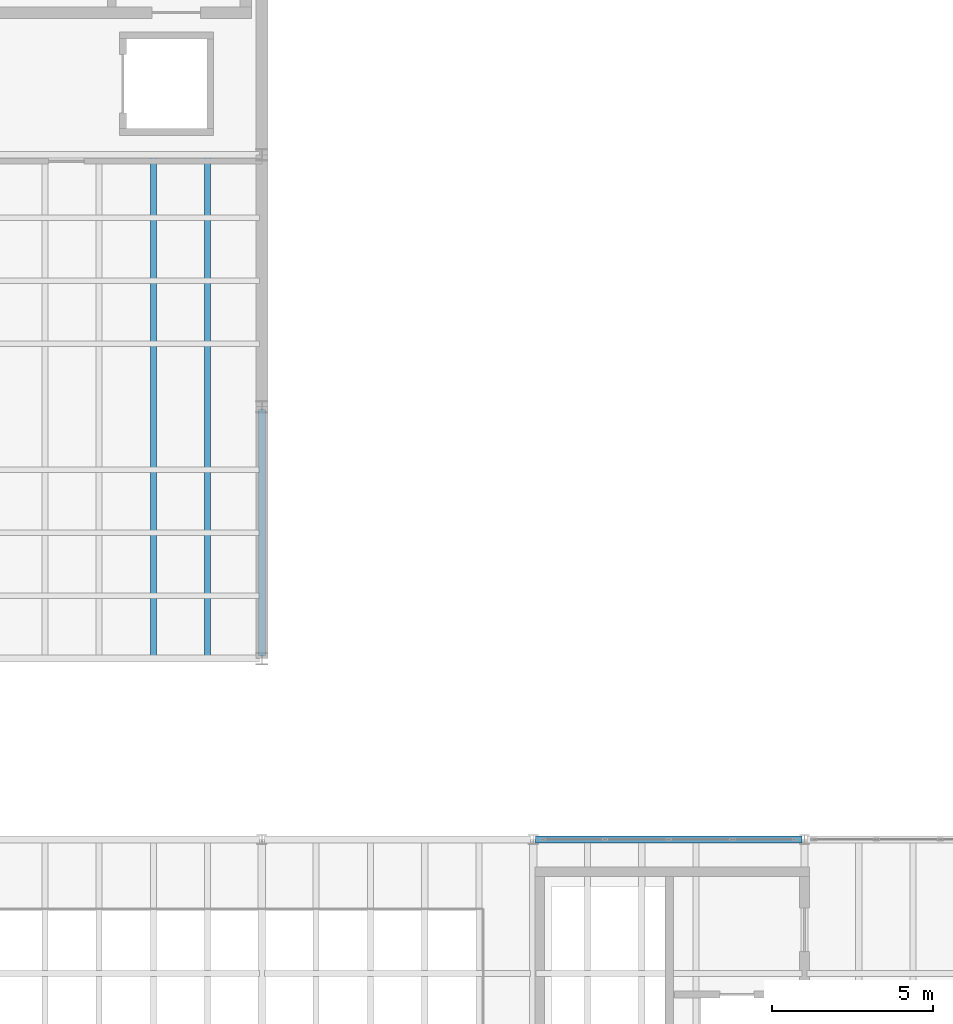
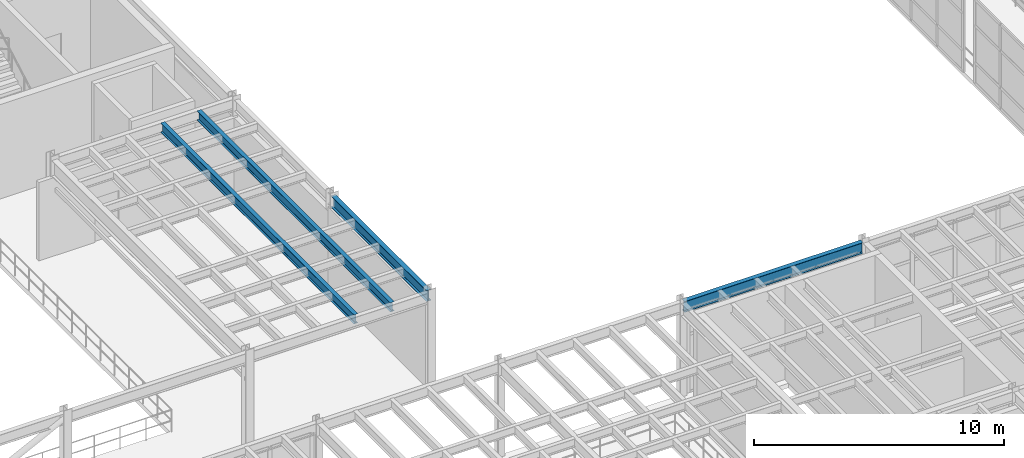
# One storey, part 42 of 105: 4 beams.
"""IFC4 building model written with IfcOpenShell, lengths in metres."""

import ifcopenshell
import ifcopenshell.guid

model = None  # the IFC model being written
_history = None  # IfcOwnerHistory: only IFC2X3 demands one
_inside = {}  # id of a spatial element -> (the spatial element, [elements in it])
_under = {}  # id of a project, library or spatial element -> (it, [spatial elements below it])
_declared = {}  # id of a project -> (the project, [libraries it declares])
_typed = {}  # id of a type object -> (the type object, [elements of that type])
_made_of = {}  # id of a material, layer set ... -> (it, [elements and type objects made of it])


def new_model(schema):
    """Start an empty IFC model of exactly this schema.

    Asked for "IFC4X3", IfcOpenShell would pick the latest addendum, in which some entities
    have other attributes; the version numbers below select the first issue.
    IFC2X3 requires an IfcOwnerHistory on every rooted entity: one is made here for all.
    """
    global model, _history
    if schema == "IFC4X3":
        model = ifcopenshell.file(schema_version=(4, 3, 0, 0))
    else:
        model = ifcopenshell.file(schema=schema)
    _inside.clear()
    _under.clear()
    _declared.clear()
    _typed.clear()
    _made_of.clear()
    _history = None
    if model.schema == "IFC2X3":
        org = make("IfcOrganization", Name="unknown")
        user = make(
            "IfcPersonAndOrganization",
            ThePerson=make("IfcPerson", FamilyName="unknown"),
            TheOrganization=org,
        )
        app = make(
            "IfcApplication",
            ApplicationDeveloper=org,
            Version="unknown",
            ApplicationFullName="unknown",
            ApplicationIdentifier="unknown",
        )
        _history = make(
            "IfcOwnerHistory",
            OwningUser=user,
            OwningApplication=app,
            ChangeAction="ADDED",
            CreationDate=0,
        )
    return model


def make(cls, **values):
    """One entity of the class cls with the attributes given. An attribute that is None is left unset."""
    return model.create_entity(
        cls, **{name: value for name, value in values.items() if value is not None}
    )


def rooted(cls, **values):
    """An entity with a GlobalId (a new one), such as an element, a storey or a relation."""
    return make(cls, GlobalId=ifcopenshell.guid.new(), OwnerHistory=_history, **values)


def si_unit(unit_type, name, prefix=None):
    """IfcSIUnit, for example si_unit("LENGTHUNIT", "METRE", prefix="MILLI")."""
    return make("IfcSIUnit", UnitType=unit_type, Prefix=prefix, Name=name)


def assignment(units):
    """IfcUnitAssignment: the units of a project."""
    return None if units is None else make("IfcUnitAssignment", Units=units)


def point(xyz):
    """IfcCartesianPoint."""
    return None if xyz is None else make("IfcCartesianPoint", Coordinates=xyz)


def direction(xyz):
    """IfcDirection."""
    return None if xyz is None else make("IfcDirection", DirectionRatios=xyz)


def frame(location, z_axis=None, x_axis=None):
    """IfcAxis2Placement3D, a coordinate frame: its origin and axes. An axis left out is left unset."""
    return make(
        "IfcAxis2Placement3D",
        Location=point(location),
        Axis=direction(z_axis),
        RefDirection=direction(x_axis),
    )


def frame_2d(location, x_axis=None):
    """IfcAxis2Placement2D, a coordinate frame in the plane: its origin and x axis."""
    return make(
        "IfcAxis2Placement2D", Location=point(location), RefDirection=direction(x_axis)
    )


def origin():
    """The frame at (0, 0, 0) with its axes left unset."""
    return frame((0.0, 0.0, 0.0))


def origin_2d():
    """The frame at (0, 0) in the plane with its x axis left unset."""
    return frame_2d((0.0, 0.0))


def place(relative_to, where):
    """IfcLocalPlacement: puts the frame where relative to a parent placement (None: the world)."""
    return make(
        "IfcLocalPlacement", PlacementRelTo=relative_to, RelativePlacement=where
    )


def context(
    kind, dimensions, precision=None, world=None, true_north=None, identifier=None
):
    """IfcGeometricRepresentationContext, for example the 3D "Model" context."""
    return make(
        "IfcGeometricRepresentationContext",
        ContextIdentifier=identifier,
        ContextType=kind,
        CoordinateSpaceDimension=dimensions,
        Precision=precision,
        WorldCoordinateSystem=world,
        TrueNorth=true_north,
    )


def subcontext(parent, identifier, kind, view, scale=None):
    """IfcGeometricRepresentationSubContext, for example "Body" below "Model"."""
    return make(
        "IfcGeometricRepresentationSubContext",
        ContextIdentifier=identifier,
        ContextType=kind,
        ParentContext=parent,
        TargetScale=scale,
        TargetView=view,
    )


def project(units=None, contexts=None):
    """IfcProject with its units and contexts."""
    return rooted(
        "IfcProject",
        Name="project",
        RepresentationContexts=contexts,
        UnitsInContext=assignment(units),
    )


def spatial(cls, under=None, at=None, **own):
    """A site, building, storey or space (cls), placed at a placement, below another one or the project."""
    s = rooted(cls, ObjectPlacement=at, **own)
    if under is not None:
        _under.setdefault(under.id(), (under, []))[1].append(s)
    return s


def profile(cls, at=None, kind="AREA", **sizes):
    """A parametric profile (cls). Its sizes go by their IFC names, for example OverallWidth=200.0."""
    return make(cls, ProfileType=kind, Position=at, **sizes)


def i_section(**sizes):
    """IfcIShapeProfileDef."""
    return profile("IfcIShapeProfileDef", **sizes)


def extrude(swept, where, along, depth):
    """IfcExtrudedAreaSolid: the profile swept, set in the frame where, extruded along a direction by depth."""
    return make(
        "IfcExtrudedAreaSolid",
        SweptArea=swept,
        Position=where,
        ExtrudedDirection=direction(along),
        Depth=depth,
    )


def shape(context_of_items, identifier, shape_type, items):
    """IfcShapeRepresentation: the items that make up one representation, for example the "Body"."""
    return make(
        "IfcShapeRepresentation",
        ContextOfItems=context_of_items,
        RepresentationIdentifier=identifier,
        RepresentationType=shape_type,
        Items=items,
    )


def material(Name=None, Category=None):
    """IfcMaterial."""
    return make("IfcMaterial", Name=Name, Category=Category)


def material_profile(
    of_material, cross_section, Name=None, Category=None, Priority=None
):
    """IfcMaterialProfile: a cross section and its material."""
    return make(
        "IfcMaterialProfile",
        Name=Name,
        Material=of_material,
        Profile=cross_section,
        Priority=Priority,
        Category=Category,
    )


def profile_set(profiles, Name=None, composite=None):
    """IfcMaterialProfileSet."""
    return make(
        "IfcMaterialProfileSet",
        Name=Name,
        MaterialProfiles=profiles,
        CompositeProfile=composite,
    )


def made_of(thing, what):
    """Note that an element or type object is made of a material, layer set ...; save() writes the relation."""
    if what is not None:
        _made_of.setdefault(what.id(), (what, []))[1].append(thing)
    return thing


def type_object(cls, material=None, **own):
    """A type object (cls), such as IfcWallType, which elements share."""
    return made_of(rooted(cls, **own), material)


def element(
    cls,
    number,
    at=None,
    inside=None,
    cuts=None,
    type_object=None,
    material=None,
    context=None,
    identifier="Body",
    shape_type=None,
    held_by="IfcProductDefinitionShape",
    body=None,
    shapes=None,
    **own,
):
    """One element of the class cls, such as IfcWall. Its Tag is "e" and its number.

    at: its placement. inside: the storey or other place that contains it. cuts: it is an
    opening in that element (IfcRelVoidsElement). A single representation is given by context,
    identifier, shape_type and body (its items); several are given by shapes. held_by: the class
    of the entity that holds the representations. save() writes the other relations.
    """
    e = rooted(cls, Tag="e%d" % number, ObjectPlacement=at, **own)
    if body is not None:
        shapes = [shape(context, identifier, shape_type, body)]
    if shapes is not None:
        e.Representation = make(held_by, Representations=shapes)
    if inside is not None:
        _inside.setdefault(inside.id(), (inside, []))[1].append(e)
    if cuts is not None:
        rooted(
            "IfcRelVoidsElement", RelatingBuildingElement=cuts, RelatedOpeningElement=e
        )
    if type_object is not None:
        _typed.setdefault(type_object.id(), (type_object, []))[1].append(e)
    return made_of(e, material)


def aggregate(whole, parts):
    """IfcRelAggregates: a whole, such as a stair, and the parts it consists of."""
    return rooted("IfcRelAggregates", RelatingObject=whole, RelatedObjects=parts)


def save(model, path):
    """Write the relations noted so far, then the file.

    IfcRelAggregates (storeys below a building ...), IfcRelContainedInSpatialStructure (elements
    in a storey), IfcRelDefinesByType, IfcRelAssociatesMaterial and IfcRelDeclares: one each for
    every whole, place, type object, material and project.
    """
    for whole, parts in _under.values():
        aggregate(whole, parts)
    for where, things in _inside.values():
        rooted(
            "IfcRelContainedInSpatialStructure",
            RelatedElements=things,
            RelatingStructure=where,
        )
    for kind, things in _typed.values():
        rooted("IfcRelDefinesByType", RelatedObjects=things, RelatingType=kind)
    for what, things in _made_of.values():
        rooted("IfcRelAssociatesMaterial", RelatedObjects=things, RelatingMaterial=what)
    for by, libraries in _declared.values():
        rooted("IfcRelDeclares", RelatingContext=by, RelatedDefinitions=libraries)
    model.write(path)


model = new_model("IFC4")

# Units and contexts
model_context = context("Model", 3, precision=1e-05, world=origin(), true_north=direction((0.0, 1.0)))
body_context = subcontext(model_context, "Body", "Model", "MODEL_VIEW")
ifc_project = project(units=[si_unit("LENGTHUNIT", "METRE"), si_unit("AREAUNIT", "SQUARE_METRE"), si_unit("VOLUMEUNIT", "CUBIC_METRE"), si_unit("PLANEANGLEUNIT", "RADIAN"), si_unit("MASSUNIT", "GRAM", prefix="KILO")], contexts=[model_context])

# Site, building, storey
site_placement = place(None, origin())
site = spatial("IfcSite", under=ifc_project, at=site_placement, CompositionType="ELEMENT")
building_placement = place(site_placement, origin())
building = spatial("IfcBuilding", under=site, at=building_placement, Name="Selat Folded Stagehouse", CompositionType="ELEMENT")
storey_placement = place(building_placement, frame((0.0, 0.0, 10.199951171875)))
storey = spatial("IfcBuildingStorey", under=building, at=storey_placement, Name="L02", CompositionType="ELEMENT", Elevation=10.199951171875)

# Beams
ifc_material = material(Name="Steel S355", Category="steel")
ifc_material_profile_1 = material_profile(ifc_material, i_section(OverallWidth=0.210693359375, OverallDepth=0.53955078125, WebThickness=0.01171875, FlangeThickness=0.018798828125, FilletRadius=0.0126953125, at=origin_2d()), Name="UKB 533x210x109")
ifc_profile_set_1 = profile_set([ifc_material_profile_1], Name="Steel S355")
beam_type_1 = type_object("IfcBeamType", Name="BM-GIRD-533x210x109", PredefinedType="BEAM", material=ifc_profile_set_1)
beam_1_placement = place(storey_placement, frame((67.199951171875, 23.47998046875, 4.330322265625), z_axis=(0.0, 1.0, 0.0), x_axis=(-1.0, 0.0, 0.0)))
element("IfcBeam", 1, at=beam_1_placement, inside=storey, type_object=beam_type_1, Name="L02 primary y-girder 1058", PredefinedType="BEAM", context=body_context, shape_type="SweptSolid", body=[
    extrude(i_section(OverallWidth=0.210693359375, OverallDepth=0.53955078125, WebThickness=0.01171875, FlangeThickness=0.018798828125, FilletRadius=0.0126953125, at=origin_2d()), origin(), (0.0, 0.0, 1.0), 7.64013671875),
])
ifc_material_profile_2 = material_profile(ifc_material, i_section(OverallWidth=0.209228515625, OverallDepth=0.533203125, WebThickness=0.010009765625, FlangeThickness=0.015625, FilletRadius=0.0126953125, at=origin_2d()), Name="UKB 533x210x92")
ifc_profile_set_2 = profile_set([ifc_material_profile_2], Name="Steel S355")
beam_type_2 = type_object("IfcBeamType", Name="BM-GIRD-533x210x92", PredefinedType="BEAM", material=ifc_profile_set_2)
beam_2_placement = place(storey_placement, frame((75.677001953125, 17.800048828125, 4.308349609375), z_axis=(1.0, 0.0, 0.0), x_axis=(0.0, 1.0, 0.0)))
element("IfcBeam", 2, at=beam_2_placement, inside=storey, type_object=beam_type_2, Name="L02 primary x-girder 1004", PredefinedType="BEAM", context=body_context, shape_type="SweptSolid", body=[
    extrude(i_section(OverallWidth=0.209228515625, OverallDepth=0.533203125, WebThickness=0.010009765625, FlangeThickness=0.015625, FilletRadius=0.0126953125, at=origin_2d()), origin(), (0.0, 0.0, 1.0), 8.24609375),
])
ifc_material_profile_3 = material_profile(ifc_material, i_section(OverallWidth=0.18994140625, OverallDepth=0.453369140625, WebThickness=0.008544921875, FlangeThickness=0.0126953125, FilletRadius=0.01025390625, at=origin_2d()), Name="UKB 457x191x67")
ifc_profile_set_3 = profile_set([ifc_material_profile_3], Name="Steel S355")
beam_type_3 = type_object("IfcBeamType", Name="JST-457x191x67", PredefinedType="JOIST", material=ifc_profile_set_3)
for number, where, z_axis, x_axis, name in (
    (3, (63.840087890625, 23.473388671875, 4.373291015625), (0.0, 1.0, 0.0), (-1.0, 0.0, 0.0), "L02 secondary floor joist 1140"),
    (4, (65.52001953125, 23.473388671875, 4.373291015625), (0.0, 1.0, 0.0), (-1.0, 0.0, 0.0), "L02 secondary floor joist 1143"),
):
    element("IfcBeam", number, at=place(storey_placement, frame(where, z_axis=z_axis, x_axis=x_axis)), inside=storey, type_object=beam_type_3, Name=name, PredefinedType="JOIST", context=body_context, shape_type="SweptSolid", body=[
        extrude(i_section(OverallWidth=0.18994140625, OverallDepth=0.453369140625, WebThickness=0.008544921875, FlangeThickness=0.0126953125, FilletRadius=0.01025390625, at=origin_2d()), origin(), (0.0, 0.0, 1.0), 15.453369140625),
    ])

save(model, "model.ifc")
